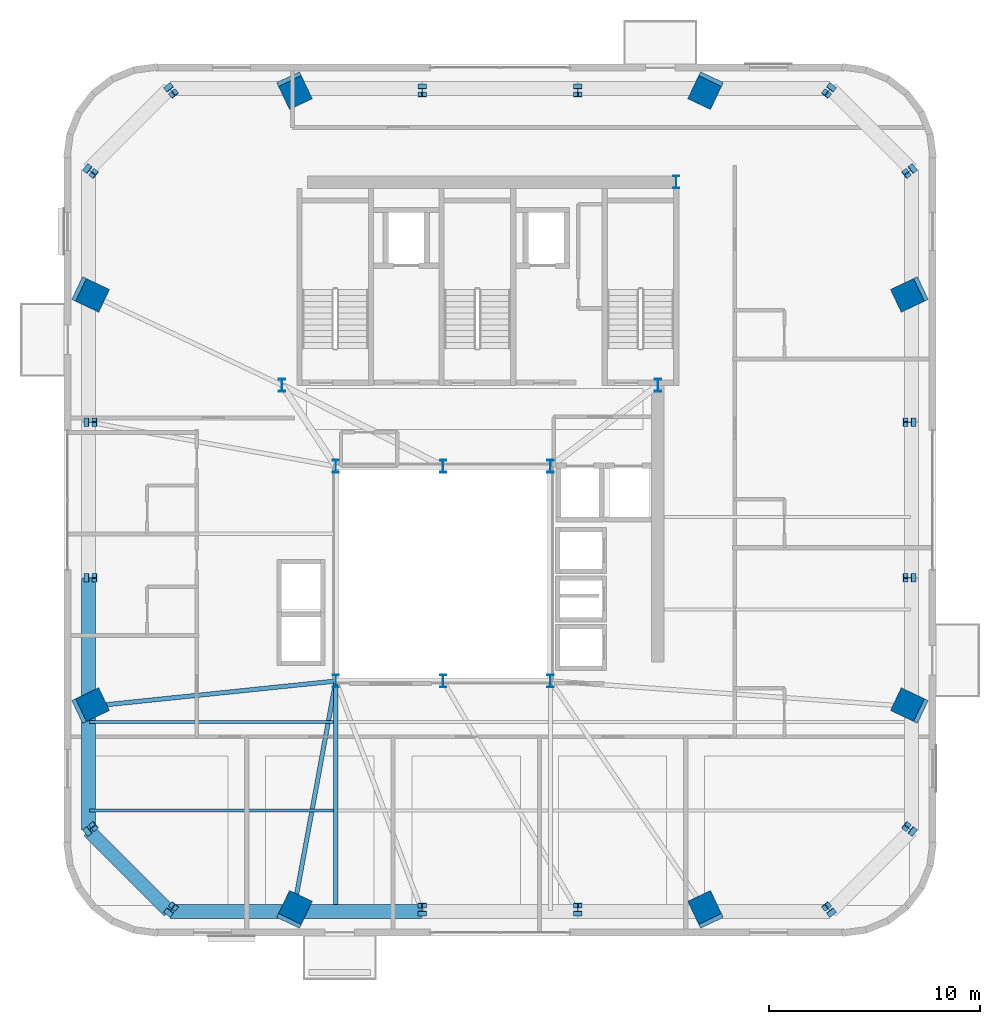
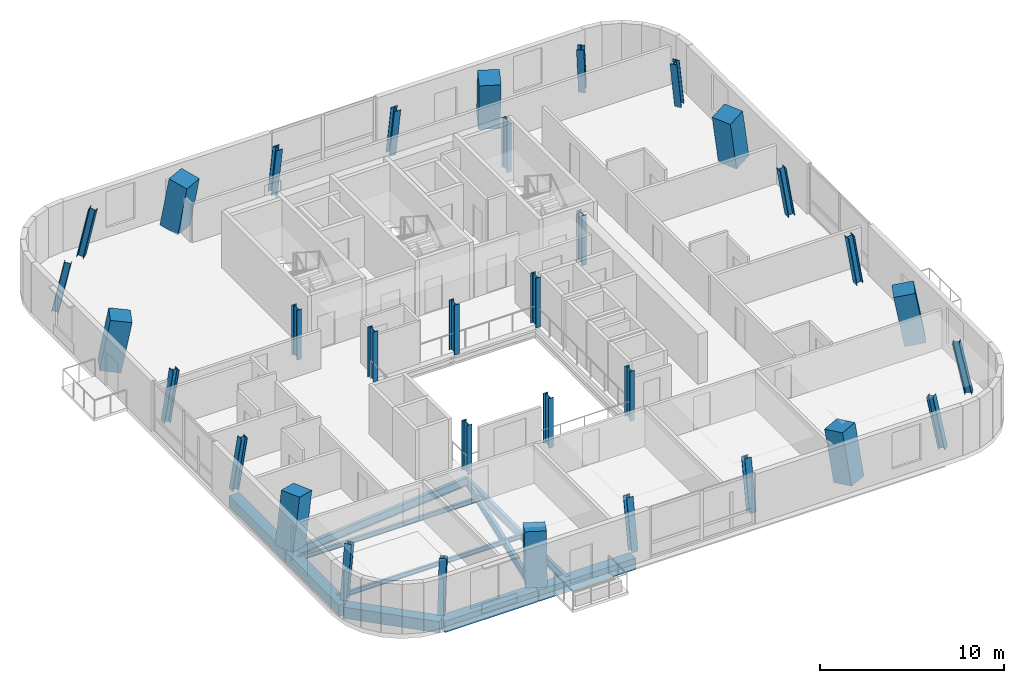
# One storey, part 1 of 13: 33 columns, 10 beams.
"""IFC4 building model written with IfcOpenShell, lengths in metres."""

from ifc_helpers import new_model, si_unit, direction, frame, origin, origin_2d, place, context, subcontext, project, spatial, rectangle, i_section, extrude, source, transform, mapped, material, material_profile, profile_set, type_object, element, save


model = new_model("IFC4")

# Units and contexts
model_context = context("Model", 3, precision=1e-05, world=origin(), true_north=direction((0.0, 1.0)))
body_context = subcontext(model_context, "Body", "Model", "MODEL_VIEW")
ifc_project = project(units=[si_unit("LENGTHUNIT", "METRE"), si_unit("AREAUNIT", "SQUARE_METRE"), si_unit("VOLUMEUNIT", "CUBIC_METRE"), si_unit("PLANEANGLEUNIT", "RADIAN"), si_unit("MASSUNIT", "GRAM", prefix="KILO")], contexts=[model_context])

# Site, building, storey
site_placement = place(None, origin())
site = spatial("IfcSite", under=ifc_project, at=site_placement, CompositionType="ELEMENT")
building_placement = place(site_placement, origin())
building = spatial("IfcBuilding", under=site, at=building_placement, Name="Vardaveli Station Tower", CompositionType="ELEMENT")
storey_placement = place(building_placement, frame((0.0, 0.0, 274.300048828125)))
storey = spatial("IfcBuildingStorey", under=building, at=storey_placement, Name="L70", CompositionType="ELEMENT", Elevation=274.300048828125)

# Columns
ifc_material_1 = material(Name="Structural steel S460M", Category="steel")
ifc_material_profile_1 = material_profile(ifc_material_1, i_section(OverallWidth=0.300048828125, OverallDepth=0.60009765625, WebThickness=0.015380859375, FlangeThickness=0.030029296875, FilletRadius=0.027099609375, at=origin_2d()), Name="HEB 600")
ifc_profile_set_1 = profile_set([ifc_material_profile_1], Name="Structural steel S460M")
column_type_1 = type_object("IfcColumnType", Name="COL-HEB600", PredefinedType="COLUMN", material=ifc_profile_set_1)
shared_shape_1 = source(origin(), body_context, "Body", "SweptSolid", [
    extrude(i_section(OverallWidth=0.300048828125, OverallDepth=0.60009765625, WebThickness=0.015380859375, FlangeThickness=0.030029296875, FilletRadius=0.027099609375, at=origin_2d()), origin(), (0.0, 0.0, 1.0), 3.300048828125),
])
for number, where, z_axis, x_axis, name in (
    (1, (31.199951171875, 16.60009765625, 0.0), (0.0, 0.0, 1.0), (1.0, 0.0, 0.0), "COL-L70-AC1"),
    (2, (36.300048828125, 16.60009765625, 0.0), (0.0, 0.0, 1.0), (1.0, 0.0, 0.0), "COL-L70-AC2"),
    (3, (41.39990234375, 16.60009765625, 0.0), (0.0, 0.0, 1.0), (1.0, 0.0, 0.0), "COL-L70-AC3"),
    (4, (41.39990234375, 26.800048828125, 0.0), (0.0, 0.0, 1.0), (1.0, 0.0, 0.0), "COL-L70-AC4"),
    (5, (36.300048828125, 26.800048828125, 0.0), (0.0, 0.0, 1.0), (1.0, 0.0, 0.0), "COL-L70-AC5"),
    (6, (31.199951171875, 26.800048828125, 0.0), (0.0, 0.0, 1.0), (1.0, 0.0, 0.0), "COL-L70-AC6"),
    (7, (28.64990234375, 30.64990234375, 0.0), (0.0, 0.0, 1.0), (1.0, 0.0, 0.0), "COL-L70-CC1"),
    (8, (46.5, 30.64990234375, 0.0), (0.0, 0.0, 1.0), (1.0, 0.0, 0.0), "COL-L70-CC2"),
    (9, (47.3701171875, 40.300048828125, 0.0), (0.0, 0.0, 1.0), (1.0, 0.0, 0.0), "COL-L70-CC3"),
):
    element("IfcColumn", number, at=place(storey_placement, frame(where, z_axis=z_axis, x_axis=x_axis)), inside=storey, type_object=column_type_1, Name=name, PredefinedType="COLUMN", context=body_context, shape_type="MappedRepresentation", body=[
        mapped(shared_shape_1, transform((0.0, 0.0, 0.0), scale=1.0)),
    ])
ifc_material_2 = material(Name="Concrete C50/60", Category="concrete")
ifc_material_profile_2 = material_profile(ifc_material_2, rectangle(XDim=1.199951171875, YDim=1.199951171875, at=origin_2d()), Name="MC 1200x1200")
ifc_profile_set_2 = profile_set([ifc_material_profile_2], Name="Concrete C50/60")
column_type_2 = type_object("IfcColumnType", Name="COL-MC-1200", PredefinedType="COLUMN", material=ifc_profile_set_2)
shared_shape_2 = source(origin(), body_context, "Body", "SweptSolid", [
    extrude(rectangle(XDim=1.199951171875, YDim=1.199951171875, at=origin_2d()), origin(), (0.0, 0.0, 1.0), 3.353759765625),
])
for number, where, z_axis, x_axis, name in (
    (10, (29.188232421875, 5.64990234375, 0.0), (0.07636361986, 0.161026050649, 0.983991467734), (-0.903546449333, 0.428490156126, 0.0), "COL-L70-MC1"),
    (11, (48.811767578125, 5.64990234375, 0.0), (-0.07636361986, 0.161026050649, 0.983991467734), (-0.903546449333, -0.428490156126, 0.0), "COL-L70-MC2"),
    (12, (58.550048828125, 15.38818359375, 0.0), (-0.161026050649, 0.07636361986, 0.983991467734), (-0.428490156126, -0.903546449333, 0.0), "COL-L70-MC3"),
    (13, (58.550048828125, 35.01171875, 0.0), (-0.161026050649, -0.07636361986, 0.983991467734), (0.428490156126, -0.903546449333, 0.0), "COL-L70-MC4"),
    (14, (48.811767578125, 44.75, 0.0), (-0.07636361986, -0.161026050649, 0.983991467734), (0.903546449333, -0.428490156126, 0.0), "COL-L70-MC5"),
    (15, (29.188232421875, 44.75, 0.0), (0.07636361986, -0.161026050649, 0.983991467734), (0.903546449333, 0.428490156126, 0.0), "COL-L70-MC6"),
    (16, (19.449951171875, 35.01171875, 0.0), (0.161026050649, -0.07636361986, 0.983991467734), (0.428490156126, 0.903546449333, 0.0), "COL-L70-MC7"),
    (17, (19.449951171875, 15.38818359375, 0.0), (0.161026050649, 0.07636361986, 0.983991467734), (-0.428490156126, 0.903546449333, 0.0), "COL-L70-MC8"),
):
    element("IfcColumn", number, at=place(storey_placement, frame(where, z_axis=z_axis, x_axis=x_axis)), inside=storey, type_object=column_type_2, Name=name, PredefinedType="COLUMN", context=body_context, shape_type="MappedRepresentation", body=[
        mapped(shared_shape_2, transform((0.0, 0.0, 0.0), scale=1.0)),
    ])
ifc_material_profile_3 = material_profile(ifc_material_1, i_section(OverallWidth=0.405029296875, OverallDepth=0.403076171875, WebThickness=0.017822265625, FlangeThickness=0.02783203125, FilletRadius=0.014892578125, at=origin_2d()), Name="HD 400x287")
ifc_profile_set_3 = profile_set([ifc_material_profile_3], Name="Structural steel S460M")
column_type_3 = type_object("IfcColumnType", Name="COL-HD287", PredefinedType="COLUMN", material=ifc_profile_set_3)
shared_shape_3 = source(origin(), body_context, "Body", "SweptSolid", [
    extrude(i_section(OverallWidth=0.405029296875, OverallDepth=0.403076171875, WebThickness=0.017822265625, FlangeThickness=0.02783203125, FilletRadius=0.014892578125, at=origin_2d()), origin(), (0.0, 0.0, 1.0), 3.37109375),
])
for number, where, z_axis, x_axis, name in (
    (18, (23.297119140625, 5.64990234375, 0.0), (0.126665578138, 0.160196831813, 0.97892431086), (-0.784419603895, 0.620230509589, 0.0), "COL-L70-PC01"),
    (19, (54.702880859375, 5.64990234375, 0.0), (-0.126665578138, 0.160196831813, 0.97892431086), (-0.784419603895, -0.620230509589, 0.0), "COL-L70-PC04"),
    (20, (58.550048828125, 9.4970703125, 0.0), (-0.160196831813, 0.126665578138, 0.97892431086), (-0.620230509589, -0.784419603895, 0.0), "COL-L70-PC05"),
    (21, (58.550048828125, 40.903076171875, 0.0), (-0.160196831813, -0.126665578138, 0.97892431086), (0.620230509589, -0.784419603895, 0.0), "COL-L70-PC08"),
    (22, (54.702880859375, 44.75, 0.0), (-0.126665578138, -0.160196831813, 0.97892431086), (0.784419603895, -0.620230509589, 0.0), "COL-L70-PC09"),
    (23, (23.297119140625, 44.75, 0.0), (0.126665578138, -0.160196831813, 0.97892431086), (0.784419603895, 0.620230509589, 0.0), "COL-L70-PC12"),
    (24, (19.449951171875, 40.903076171875, 0.0), (0.160196831813, -0.126665578138, 0.97892431086), (0.620230509589, 0.784419603895, 0.0), "COL-L70-PC13"),
    (25, (19.449951171875, 9.4970703125, 0.0), (0.160196831813, 0.126665578138, 0.97892431086), (-0.620230509589, 0.784419603895, 0.0), "COL-L70-PC16"),
):
    element("IfcColumn", number, at=place(storey_placement, frame(where, z_axis=z_axis, x_axis=x_axis)), inside=storey, type_object=column_type_3, Name=name, PredefinedType="COLUMN", context=body_context, shape_type="MappedRepresentation", body=[
        mapped(shared_shape_3, transform((0.0, 0.0, 0.0), scale=1.0)),
    ])
shared_shape_4 = source(origin(), body_context, "Body", "SweptSolid", [
    extrude(i_section(OverallWidth=0.405029296875, OverallDepth=0.403076171875, WebThickness=0.017822265625, FlangeThickness=0.02783203125, FilletRadius=0.014892578125, at=origin_2d()), origin(), (0.0, 0.0, 1.0), 3.343994140625),
])
for number, where, z_axis, x_axis, name in (
    (26, (35.300048828125, 5.64990234375, 0.0), (0.0, 0.161497617931, 0.986873101975), (-1.0, 0.0, 0.0), "COL-L70-PC02"),
    (27, (42.699951171875, 5.64990234375, 0.0), (0.0, 0.161497617931, 0.986873101975), (-1.0, 0.0, 0.0), "COL-L70-PC03"),
    (28, (58.550048828125, 21.5, 0.0), (-0.161497617931, 0.0, 0.986873101975), (0.0, -1.0, 0.0), "COL-L70-PC06"),
    (29, (58.550048828125, 28.89990234375, 0.0), (-0.161497617931, 0.0, 0.986873101975), (0.0, -1.0, 0.0), "COL-L70-PC07"),
    (30, (42.699951171875, 44.75, 0.0), (0.0, -0.161497617931, 0.986873101975), (1.0, 0.0, 0.0), "COL-L70-PC10"),
    (31, (35.300048828125, 44.75, 0.0), (0.0, -0.161497617931, 0.986873101975), (1.0, 0.0, 0.0), "COL-L70-PC11"),
    (32, (19.449951171875, 28.89990234375, 0.0), (0.161497617931, 0.0, 0.986873101975), (0.0, 1.0, 0.0), "COL-L70-PC14"),
    (33, (19.449951171875, 21.5, 0.0), (0.161497617931, 0.0, 0.986873101975), (0.0, 1.0, 0.0), "COL-L70-PC15"),
):
    element("IfcColumn", number, at=place(storey_placement, frame(where, z_axis=z_axis, x_axis=x_axis)), inside=storey, type_object=column_type_3, Name=name, PredefinedType="COLUMN", context=body_context, shape_type="MappedRepresentation", body=[
        mapped(shared_shape_4, transform((0.0, 0.0, 0.0), scale=1.0)),
    ])

# Beams
ifc_material_3 = material(Name="Precast concrete C45/55", Category="concrete")
ifc_material_profile_4 = material_profile(ifc_material_3, rectangle(XDim=0.64990234375, YDim=0.75, at=origin_2d()), Name="LPB 650x750")
ifc_profile_set_4 = profile_set([ifc_material_profile_4], Name="Precast concrete C45/55")
beam_type_1 = type_object("IfcBeamType", Name="BM-LPB-750", PredefinedType="BEAM", material=ifc_profile_set_4)
shared_shape_5 = source(origin(), body_context, "Body", "SweptSolid", [
    extrude(rectangle(XDim=0.64990234375, YDim=0.75, at=origin_2d()), origin(), (0.0, 0.0, 1.0), 6.07177734375),
])
for number, where, z_axis, x_axis, name in (
    (34, (29.208251953125, 5.64990234375, -0.675048828125), (1.0, 0.0, 0.0), (0.0, 1.0, 0.0), "RBM-L70-01"),
    (35, (19.449951171875, 21.47998046875, -0.675048828125), (0.0, -1.0, 0.0), (1.0, 0.0, 0.0), "RBM-L70-21"),
):
    element("IfcBeam", number, at=place(storey_placement, frame(where, z_axis=z_axis, x_axis=x_axis)), inside=storey, type_object=beam_type_1, Name=name, PredefinedType="BEAM", context=body_context, shape_type="MappedRepresentation", body=[
        mapped(shared_shape_5, transform((0.0, 0.0, 0.0), scale=1.0)),
    ])
shared_shape_6 = source(origin(), body_context, "Body", "SweptSolid", [
    extrude(rectangle(XDim=0.64990234375, YDim=0.75, at=origin_2d()), origin(), (0.0, 0.0, 1.0), 5.851318359375),
])
beam_1_placement = place(storey_placement, frame((23.31689453125, 5.64990234375, -0.675048828125), z_axis=(1.0, 0.0, 0.0), x_axis=(0.0, 1.0, 0.0)))
element("IfcBeam", 36, at=beam_1_placement, inside=storey, type_object=beam_type_1, Name="RBM-L70-24", PredefinedType="BEAM", context=body_context, shape_type="MappedRepresentation", body=[
    mapped(shared_shape_6, transform((0.0, 0.0, 0.0), scale=1.0)),
])
shared_shape_7 = source(origin(), body_context, "Body", "SweptSolid", [
    extrude(rectangle(XDim=0.64990234375, YDim=0.75, at=origin_2d()), origin(), (0.0, 0.0, 1.0), 5.400634765625),
])
beam_2_placement = place(storey_placement, frame((19.464111328125, 9.48291015625, -0.675048828125), z_axis=(0.707106781187, -0.707106781187, 0.0), x_axis=(0.707106781187, 0.707106781187, 0.0)))
element("IfcBeam", 37, at=beam_2_placement, inside=storey, type_object=beam_type_1, Name="RBM-L70-23", PredefinedType="BEAM", context=body_context, shape_type="MappedRepresentation", body=[
    mapped(shared_shape_7, transform((0.0, 0.0, 0.0), scale=1.0)),
])
shared_shape_8 = source(origin(), body_context, "Body", "SweptSolid", [
    extrude(rectangle(XDim=0.64990234375, YDim=0.75, at=origin_2d()), origin(), (0.0, 0.0, 1.0), 5.85107421875),
])
beam_3_placement = place(storey_placement, frame((19.449951171875, 15.3681640625, -0.675048828125), z_axis=(0.0, -1.0, 0.0), x_axis=(1.0, 0.0, 0.0)))
element("IfcBeam", 38, at=beam_3_placement, inside=storey, type_object=beam_type_1, Name="RBM-L70-22", PredefinedType="BEAM", context=body_context, shape_type="MappedRepresentation", body=[
    mapped(shared_shape_8, transform((0.0, 0.0, 0.0), scale=1.0)),
])
ifc_material_4 = material(Name="Structural steel S355J2", Category="steel")
ifc_material_profile_5 = material_profile(ifc_material_4, i_section(OverallWidth=0.2099609375, OverallDepth=0.550048828125, WebThickness=0.010986328125, FlangeThickness=0.01708984375, FilletRadius=0.02392578125, at=origin_2d()), Name="IPE 550")
ifc_profile_set_5 = profile_set([ifc_material_profile_5], Name="Structural steel S355J2")
beam_type_2 = type_object("IfcBeamType", Name="BM-IPE550", PredefinedType="BEAM", material=ifc_profile_set_5)
shared_shape_9 = source(origin(), body_context, "Body", "SweptSolid", [
    extrude(i_section(OverallWidth=0.2099609375, OverallDepth=0.550048828125, WebThickness=0.010986328125, FlangeThickness=0.01708984375, FilletRadius=0.02392578125, at=origin_2d()), origin(), (0.0, 0.0, 1.0), 11.09326171875),
])
beam_4_placement = place(storey_placement, frame((29.19189453125, 5.669677734375, -0.574951171875), z_axis=(0.180686279138, 0.983540781326, 0.0), x_axis=(-0.983540781326, 0.180686279138, 0.0)))
element("IfcBeam", 39, at=beam_4_placement, inside=storey, type_object=beam_type_2, Name="GBM-L70-01", PredefinedType="BEAM", context=body_context, shape_type="MappedRepresentation", body=[
    mapped(shared_shape_9, transform((0.0, 0.0, 0.0), scale=1.0)),
])
shared_shape_10 = source(origin(), body_context, "Body", "SweptSolid", [
    extrude(i_section(OverallWidth=0.2099609375, OverallDepth=0.550048828125, WebThickness=0.010986328125, FlangeThickness=0.01708984375, FilletRadius=0.02392578125, at=origin_2d()), origin(), (0.0, 0.0, 1.0), 11.772216796875),
])
beam_5_placement = place(storey_placement, frame((19.469970703125, 15.39013671875, -0.574951171875), z_axis=(0.994723367014, 0.102593484762, 0.0), x_axis=(-0.102593484762, 0.994723367014, 0.0)))
element("IfcBeam", 40, at=beam_5_placement, inside=storey, type_object=beam_type_2, Name="GBM-L70-10", PredefinedType="BEAM", context=body_context, shape_type="MappedRepresentation", body=[
    mapped(shared_shape_10, transform((0.0, 0.0, 0.0), scale=1.0)),
])
shared_shape_11 = source(origin(), body_context, "Body", "SweptSolid", [
    extrude(i_section(OverallWidth=0.2099609375, OverallDepth=0.550048828125, WebThickness=0.010986328125, FlangeThickness=0.01708984375, FilletRadius=0.02392578125, at=origin_2d()), origin(), (0.0, 0.0, 1.0), 10.77001953125),
])
beam_6_placement = place(storey_placement, frame((31.199951171875, 5.68994140625, -0.574951171875), z_axis=(0.0, 1.0, 0.0), x_axis=(-1.0, 0.0, 0.0)))
element("IfcBeam", 41, at=beam_6_placement, inside=storey, type_object=beam_type_2, Name="NSM-L70-S1", PredefinedType="BEAM", context=body_context, shape_type="MappedRepresentation", body=[
    mapped(shared_shape_11, transform((0.0, 0.0, 0.0), scale=1.0)),
])
ifc_material_profile_6 = material_profile(ifc_material_4, i_section(OverallWidth=0.14990234375, OverallDepth=0.300048828125, WebThickness=0.007080078125, FlangeThickness=0.0107421875, FilletRadius=0.014892578125, at=origin_2d()), Name="IPE 300")
ifc_profile_set_6 = profile_set([ifc_material_profile_6], Name="Structural steel S355J2")
beam_type_3 = type_object("IfcBeamType", Name="BM-IPE300", PredefinedType="JOIST", material=ifc_profile_set_6)
shared_shape_12 = source(origin(), body_context, "Body", "SweptSolid", [
    extrude(i_section(OverallWidth=0.14990234375, OverallDepth=0.300048828125, WebThickness=0.007080078125, FlangeThickness=0.0107421875, FilletRadius=0.014892578125, at=origin_2d()), origin(), (0.0, 0.0, 1.0), 11.597900390625),
])
for number, where, z_axis, x_axis, name in (
    (42, (19.489990234375, 10.449951171875, -0.449951171875), (1.0, 0.0, 0.0), (0.0, 1.0, 0.0), "SJ-L70-S01"),
    (43, (19.489990234375, 14.64990234375, -0.449951171875), (1.0, 0.0, 0.0), (0.0, 1.0, 0.0), "SJ-L70-S04"),
):
    element("IfcBeam", number, at=place(storey_placement, frame(where, z_axis=z_axis, x_axis=x_axis)), inside=storey, type_object=beam_type_3, Name=name, PredefinedType="JOIST", context=body_context, shape_type="MappedRepresentation", body=[
        mapped(shared_shape_12, transform((0.0, 0.0, 0.0), scale=1.0)),
    ])

save(model, "model.ifc")
